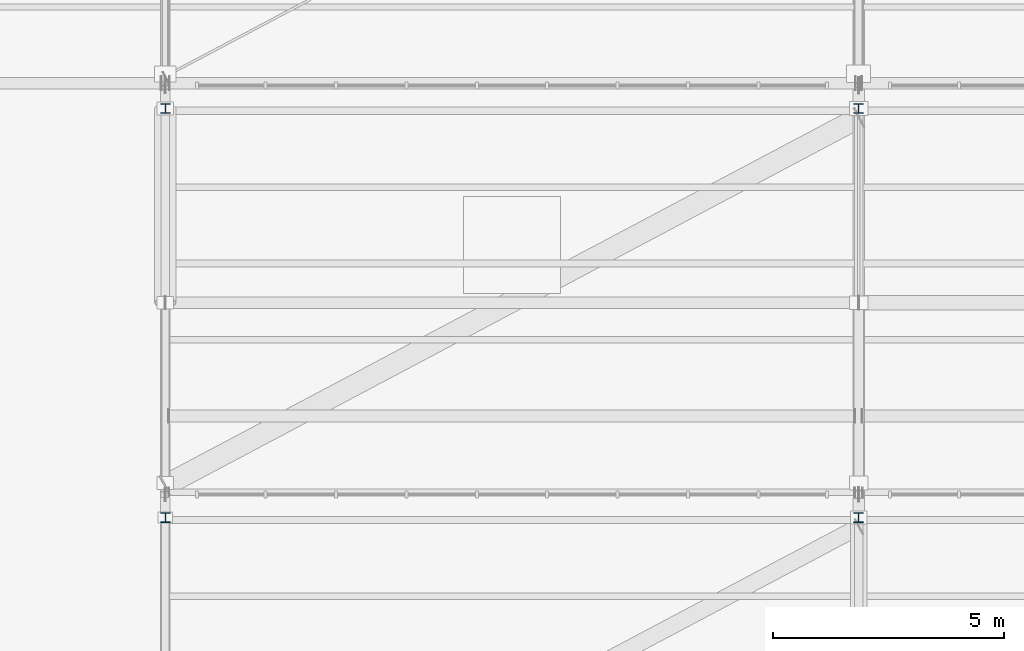
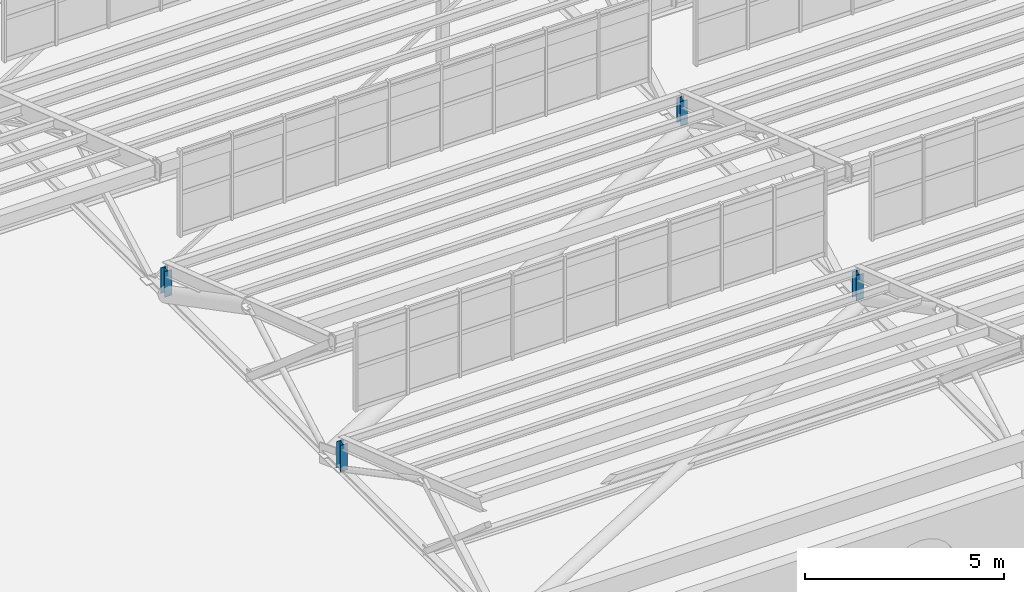
# One storey, part 140 of 285: 4 members.
"""IFC4 building model written with IfcOpenShell, lengths in metres."""

from ifc_helpers import new_model, si_unit, direction, frame, origin, origin_2d, place, context, subcontext, project, spatial, i_section, extrude, material, material_profile, profile_set, type_object, element, save


model = new_model("IFC4")

# Units and contexts
model_context = context("Model", 3, precision=1e-05, world=origin(), true_north=direction((0.0, 1.0)))
body_context = subcontext(model_context, "Body", "Model", "MODEL_VIEW")
ifc_project = project(units=[si_unit("LENGTHUNIT", "METRE"), si_unit("AREAUNIT", "SQUARE_METRE"), si_unit("VOLUMEUNIT", "CUBIC_METRE"), si_unit("PLANEANGLEUNIT", "RADIAN"), si_unit("MASSUNIT", "GRAM", prefix="KILO")], contexts=[model_context])

# Site, building, storey
site_placement = place(None, origin())
site = spatial("IfcSite", under=ifc_project, at=site_placement, CompositionType="ELEMENT")
building_placement = place(site_placement, origin())
building = spatial("IfcBuilding", under=site, at=building_placement, Name="Solanera Park Tramway Depot", CompositionType="ELEMENT")
storey_placement = place(building_placement, origin())
storey = spatial("IfcBuildingStorey", under=building, at=storey_placement, Name="L00", CompositionType="ELEMENT", Elevation=0.0)

# Members
ifc_material = material(Name="Steel AS/NZS 3679.1 Grade 350", Category="steel")
ifc_material_profile = material_profile(ifc_material, i_section(OverallWidth=0.205078125, OverallDepth=0.209716796875, WebThickness=0.00927734375, FlangeThickness=0.01416015625, at=origin_2d()), Name="200UC59.5")
ifc_profile_set = profile_set([ifc_material_profile], Name="Steel AS/NZS 3679.1 Grade 350")
member_type = type_object("IfcMemberType", Name="Roof Gantry Compression Strut 200UC59.5", PredefinedType="STRUT", material=ifc_profile_set)
member_1_placement = place(storey_placement, frame((15.0, 64.10009765625, 6.5), z_axis=(0.0, 0.0, 1.0), x_axis=(1.0, 0.0, 0.0)))
element("IfcMember", 1, at=member_1_placement, inside=storey, type_object=member_type, Name="Sawtooth ROOF TRUSS Valley Post 200UC59.5 #0001", PredefinedType="STRUT", context=body_context, shape_type="SweptSolid", body=[
    extrude(i_section(OverallWidth=0.205078125, OverallDepth=0.209716796875, WebThickness=0.00927734375, FlangeThickness=0.01416015625, at=origin_2d()), origin(), (0.0, 0.0, 1.0), 0.81298828125),
])
for number, where, z_axis, x_axis, name in (
    (2, (30.0, 64.10009765625, 6.5), (0.0, 0.0, 1.0), (1.0, 0.0, 0.0), "Sawtooth ROOF TRUSS Valley Post 200UC59.5 #0002"),
    (3, (15.0, 72.949951171875, 6.5), (0.0, 0.0, 1.0), (1.0, 0.0, 0.0), "Sawtooth ROOF TRUSS Valley Post 200UC59.5 #0010"),
):
    element("IfcMember", number, at=place(storey_placement, frame(where, z_axis=z_axis, x_axis=x_axis)), inside=storey, type_object=member_type, Name=name, PredefinedType="STRUT", context=body_context, shape_type="SweptSolid", body=[
        extrude(i_section(OverallWidth=0.205078125, OverallDepth=0.209716796875, WebThickness=0.00927734375, FlangeThickness=0.01416015625, at=origin_2d()), origin(), (0.0, 0.0, 1.0), 0.78759765625),
    ])
member_2_placement = place(storey_placement, frame((30.0, 72.949951171875, 6.5), z_axis=(0.0, 0.0, 1.0), x_axis=(1.0, 0.0, 0.0)))
element("IfcMember", 4, at=member_2_placement, inside=storey, type_object=member_type, Name="Sawtooth ROOF TRUSS Valley Post 200UC59.5 #0011", PredefinedType="STRUT", context=body_context, shape_type="SweptSolid", body=[
    extrude(i_section(OverallWidth=0.205078125, OverallDepth=0.209716796875, WebThickness=0.00927734375, FlangeThickness=0.01416015625, at=origin_2d()), origin(), (0.0, 0.0, 1.0), 0.76220703125),
])

save(model, "model.ifc")
